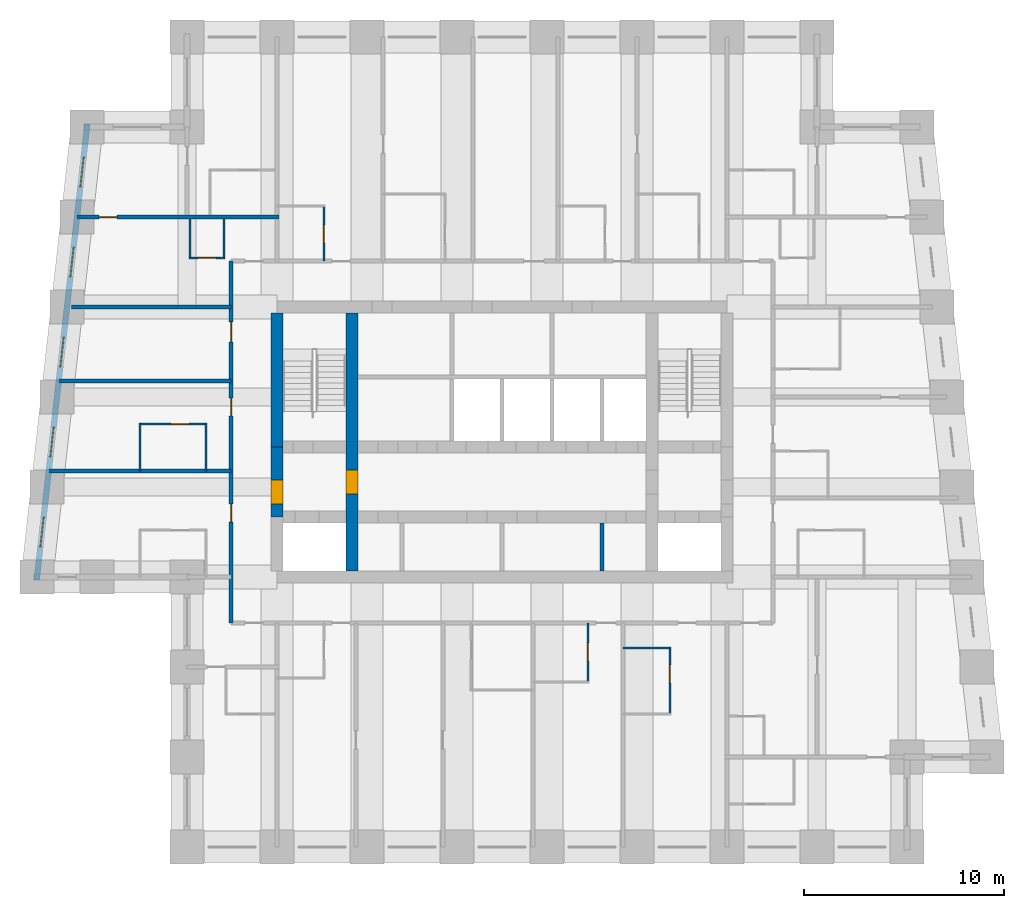
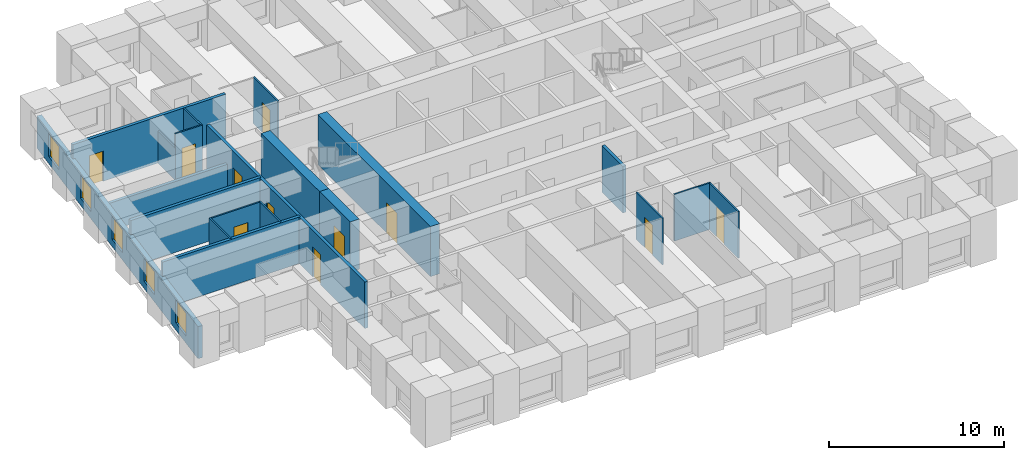
# One storey, part 3 of 8: 20 walls, 11 doors, 5 windows, 16 openings.
"""IFC4 building model written with IfcOpenShell, lengths in metres."""

from ifc_helpers import new_model, si_unit, direction, frame, frame_2d, origin, place, context, subcontext, project, spatial, rectangle, extrude, material, layer, layer_set, type_object, element, fill, save


model = new_model("IFC4")

# Units and contexts
model_context = context("Model", 3, precision=1e-05, world=origin(), true_north=direction((0.0, 1.0)))
body_context = subcontext(model_context, "Body", "Model", "MODEL_VIEW")
ifc_project = project(units=[si_unit("LENGTHUNIT", "METRE"), si_unit("AREAUNIT", "SQUARE_METRE"), si_unit("VOLUMEUNIT", "CUBIC_METRE"), si_unit("PLANEANGLEUNIT", "RADIAN"), si_unit("MASSUNIT", "GRAM", prefix="KILO")], contexts=[model_context])

# Site, building, storey
site_placement = place(None, origin())
site = spatial("IfcSite", under=ifc_project, at=site_placement, CompositionType="ELEMENT")
building_placement = place(site_placement, origin())
building = spatial("IfcBuilding", under=site, at=building_placement, Name="Kilele Tower Hotel", CompositionType="ELEMENT")
storey_placement = place(building_placement, frame((0.0, 0.0, 197.39990234375)))
storey = spatial("IfcBuildingStorey", under=building, at=storey_placement, Name="L51", CompositionType="ELEMENT", Elevation=197.39990234375)

# Wall, opening, door
ifc_material_1 = material(Name="Moisture-resistant board")
ifc_layer_1 = layer(ifc_material_1, 0.10009765625)
ifc_layer_set_1 = layer_set([ifc_layer_1], Name="Moisture-resistant board")
wall_type_1 = type_object("IfcWallType", Name="Bathroom partition 100", PredefinedType="PLUMBINGWALL", material=ifc_layer_set_1)
wall_1_placement = place(storey_placement, frame((29.050048828125, 11.199951171875, 0.0), z_axis=(0.0, 0.0, 1.0), x_axis=(0.0, -1.0, 0.0)))
wall_1 = element("IfcWall", 1, at=wall_1_placement, inside=storey, type_object=wall_type_1, Name="Bathroom partition 100 L51", PredefinedType="PLUMBINGWALL", context=body_context, shape_type="SweptSolid", body=[
    extrude(rectangle(XDim=3.0, YDim=0.10009765625, at=frame_2d((1.5, 0.0))), origin(), (0.0, 0.0, 1.0), 3.25),
])
opening_1_placement = place(wall_1_placement, frame((1.0, 0.0, 0.0)))
opening_1 = element("IfcOpeningElement", 2, at=opening_1_placement, cuts=wall_1, Name="Opening D2A", PredefinedType="OPENING", context=body_context, shape_type="SweptSolid", body=[
    extrude(rectangle(XDim=0.89990234375, YDim=2.10009765625, at=frame_2d((0.449951171875, 1.050048828125))), frame((0.0, 0.06005859375, 0.0), z_axis=(0.0, -1.0, 0.0), x_axis=(1.0, 0.0, 0.0)), (0.0, 0.0, 1.0), 0.1201171875),
])
ifc_material_2 = material(Name="Timber door leaf in hardwood frame", Category="wood")
door_type_1 = type_object("IfcDoorType", Name="Bathroom door 900", OperationType="SINGLE_SWING_LEFT", PredefinedType="DOOR", material=ifc_material_2)
door_1_placement = place(opening_1_placement, origin())
door_1 = element("IfcDoor", 3, at=door_1_placement, inside=storey, type_object=door_type_1, Name="Bathroom door 5104B", OperationType="SINGLE_SWING_LEFT", OverallHeight=2.10009765625, OverallWidth=0.89990234375, PredefinedType="DOOR", context=body_context, shape_type="SweptSolid", body=[
    extrude(rectangle(XDim=0.89990234375, YDim=2.10009765625, at=frame_2d((0.449951171875, 1.050048828125))), frame((0.0, 0.02490234375, 0.0), z_axis=(0.0, -1.0, 0.0), x_axis=(1.0, 0.0, 0.0)), (0.0, 0.0, 1.0), 0.050048828125),
])
fill(opening_1, door_1)

# Wall
wall_2_placement = place(storey_placement, frame((30.800048828125, 9.949951171875, 0.0), z_axis=(0.0, 0.0, 1.0), x_axis=(1.0, 0.0, 0.0)))
element("IfcWall", 4, at=wall_2_placement, inside=storey, type_object=wall_type_1, Name="Bathroom partition 100 L51", PredefinedType="PLUMBINGWALL", context=body_context, shape_type="SweptSolid", body=[
    extrude(rectangle(XDim=2.39990234375, YDim=0.10009765625, at=frame_2d((1.199951171875, 0.0))), origin(), (0.0, 0.0, 1.0), 3.25),
])

# Wall, opening, door
wall_3_placement = place(storey_placement, frame((33.14990234375, 10.0, 0.0), z_axis=(0.0, 0.0, 1.0), x_axis=(0.0, -1.0, 0.0)))
wall_3 = element("IfcWall", 5, at=wall_3_placement, inside=storey, type_object=wall_type_1, Name="Bathroom partition 100 L51", PredefinedType="PLUMBINGWALL", context=body_context, shape_type="SweptSolid", body=[
    extrude(rectangle(XDim=3.39990234375, YDim=0.10009765625, at=frame_2d((1.699951171875, 0.0))), origin(), (0.0, 0.0, 1.0), 3.25),
])
opening_2_placement = place(wall_3_placement, frame((0.89990234375, 0.0, 0.0)))
opening_2 = element("IfcOpeningElement", 6, at=opening_2_placement, cuts=wall_3, Name="Opening D2A", PredefinedType="OPENING", context=body_context, shape_type="SweptSolid", body=[
    extrude(rectangle(XDim=0.89990234375, YDim=2.10009765625, at=frame_2d((0.449951171875, 1.050048828125))), frame((0.0, 0.06005859375, 0.0), z_axis=(0.0, -1.0, 0.0), x_axis=(1.0, 0.0, 0.0)), (0.0, 0.0, 1.0), 0.1201171875),
])
door_2_placement = place(opening_2_placement, origin())
door_2 = element("IfcDoor", 7, at=door_2_placement, inside=storey, type_object=door_type_1, Name="Bathroom door 5105B", OperationType="SINGLE_SWING_LEFT", OverallHeight=2.10009765625, OverallWidth=0.89990234375, PredefinedType="DOOR", context=body_context, shape_type="SweptSolid", body=[
    extrude(rectangle(XDim=0.89990234375, YDim=2.10009765625, at=frame_2d((0.449951171875, 1.050048828125))), frame((0.0, 0.02490234375, 0.0), z_axis=(0.0, -1.0, 0.0), x_axis=(1.0, 0.0, 0.0)), (0.0, 0.0, 1.0), 0.050048828125),
])
fill(opening_2, door_2)

wall_4_placement = place(storey_placement, frame((15.85009765625, 29.300048828125, 0.0), z_axis=(0.0, 0.0, 1.0), x_axis=(0.0, 1.0, 0.0)))
wall_4 = element("IfcWall", 8, at=wall_4_placement, inside=storey, type_object=wall_type_1, Name="Bathroom partition 100 L51", PredefinedType="PLUMBINGWALL", context=body_context, shape_type="SweptSolid", body=[
    extrude(rectangle(XDim=2.800048828125, YDim=0.10009765625, at=frame_2d((1.39990234375, 0.0))), origin(), (0.0, 0.0, 1.0), 3.25),
])
opening_3_placement = place(wall_4_placement, frame((1.7998046875, 0.0, 0.0), z_axis=(0.0, 0.0, 1.0), x_axis=(-1.0, 0.0, 0.0)))
opening_3 = element("IfcOpeningElement", 9, at=opening_3_placement, cuts=wall_4, Name="Opening D2A", PredefinedType="OPENING", context=body_context, shape_type="SweptSolid", body=[
    extrude(rectangle(XDim=0.89990234375, YDim=2.10009765625, at=frame_2d((0.449951171875, 1.050048828125))), frame((0.0, 0.06005859375, 0.0), z_axis=(0.0, -1.0, 0.0), x_axis=(1.0, 0.0, 0.0)), (0.0, 0.0, 1.0), 0.1201171875),
])
door_3_placement = place(opening_3_placement, origin())
door_3 = element("IfcDoor", 10, at=door_3_placement, inside=storey, type_object=door_type_1, Name="Bathroom door 5109B", OperationType="SINGLE_SWING_RIGHT", OverallHeight=2.10009765625, OverallWidth=0.89990234375, PredefinedType="DOOR", context=body_context, shape_type="SweptSolid", body=[
    extrude(rectangle(XDim=0.89990234375, YDim=2.10009765625, at=frame_2d((0.449951171875, 1.050048828125))), frame((0.0, 0.02490234375, 0.0), z_axis=(0.0, -1.0, 0.0), x_axis=(1.0, 0.0, 0.0)), (0.0, 0.0, 1.0), 0.050048828125),
])
fill(opening_3, door_3)

# Walls
for number, where, z_axis, x_axis, name in (
    (11, (9.949951171875, 18.800048828125, 0.0), (0.0, 0.0, 1.0), (0.0, 1.0, 0.0), "Bathroom partition 100 L51"),
    (12, (6.64990234375, 18.800048828125, 0.0), (0.0, 0.0, 1.0), (0.0, 1.0, 0.0), "Bathroom partition 100 L51"),
):
    element("IfcWall", number, at=place(storey_placement, frame(where, z_axis=z_axis, x_axis=x_axis)), inside=storey, type_object=wall_type_1, Name=name, PredefinedType="PLUMBINGWALL", context=body_context, shape_type="SweptSolid", body=[
        extrude(rectangle(XDim=2.39990234375, YDim=0.10009765625, at=frame_2d((1.199951171875, 0.0))), origin(), (0.0, 0.0, 1.0), 3.25),
    ])

# Wall, opening, door
wall_5_placement = place(storey_placement, frame((10.0, 21.14990234375, 0.0), z_axis=(0.0, 0.0, 1.0), x_axis=(-1.0, 0.0, 0.0)))
wall_5 = element("IfcWall", 13, at=wall_5_placement, inside=storey, type_object=wall_type_1, Name="Bathroom partition 100 L51", PredefinedType="PLUMBINGWALL", context=body_context, shape_type="SweptSolid", body=[
    extrude(rectangle(XDim=3.39990234375, YDim=0.10009765625, at=frame_2d((1.699951171875, 0.0))), origin(), (0.0, 0.0, 1.0), 3.25),
])
opening_4_placement = place(wall_5_placement, frame((1.7998046875, 0.0, 0.0), z_axis=(0.0, 0.0, 1.0), x_axis=(-1.0, 0.0, 0.0)))
opening_4 = element("IfcOpeningElement", 14, at=opening_4_placement, cuts=wall_5, Name="Opening D2A", PredefinedType="OPENING", context=body_context, shape_type="SweptSolid", body=[
    extrude(rectangle(XDim=0.89990234375, YDim=2.10009765625, at=frame_2d((0.449951171875, 1.050048828125))), frame((0.0, 0.06005859375, 0.0), z_axis=(0.0, -1.0, 0.0), x_axis=(1.0, 0.0, 0.0)), (0.0, 0.0, 1.0), 0.1201171875),
])
door_4_placement = place(opening_4_placement, origin())
door_4 = element("IfcDoor", 15, at=door_4_placement, inside=storey, type_object=door_type_1, Name="Bathroom door 5115B", OperationType="SINGLE_SWING_RIGHT", OverallHeight=2.10009765625, OverallWidth=0.89990234375, PredefinedType="DOOR", context=body_context, shape_type="SweptSolid", body=[
    extrude(rectangle(XDim=0.89990234375, YDim=2.10009765625, at=frame_2d((0.449951171875, 1.050048828125))), frame((0.0, 0.02490234375, 0.0), z_axis=(0.0, -1.0, 0.0), x_axis=(1.0, 0.0, 0.0)), (0.0, 0.0, 1.0), 0.050048828125),
])
fill(opening_4, door_4)

# Walls
wall_6_placement = place(storey_placement, frame((9.14990234375, 31.39990234375, 0.0), z_axis=(0.0, 0.0, 1.0), x_axis=(0.0, -1.0, 0.0)))
element("IfcWall", 16, at=wall_6_placement, inside=storey, type_object=wall_type_1, Name="Bathroom partition 100 L51", PredefinedType="PLUMBINGWALL", context=body_context, shape_type="SweptSolid", body=[
    extrude(rectangle(XDim=2.0, YDim=0.10009765625, at=frame_2d((1.0, 0.0))), origin(), (0.0, 0.0, 1.0), 2.25),
])
wall_7_placement = place(storey_placement, frame((10.85009765625, 31.39990234375, 0.0), z_axis=(0.0, 0.0, 1.0), x_axis=(0.0, -1.0, 0.0)))
element("IfcWall", 17, at=wall_7_placement, inside=storey, type_object=wall_type_1, Name="Bathroom partition 100 L51", PredefinedType="PLUMBINGWALL", context=body_context, shape_type="SweptSolid", body=[
    extrude(rectangle(XDim=2.0, YDim=0.10009765625, at=frame_2d((1.0, 0.0))), origin(), (0.0, 0.0, 1.0), 3.25),
])

# Wall, opening, door
wall_8_placement = place(storey_placement, frame((10.89990234375, 29.449951171875, 0.0), z_axis=(0.0, 0.0, 1.0), x_axis=(-1.0, 0.0, 0.0)))
wall_8 = element("IfcWall", 18, at=wall_8_placement, inside=storey, type_object=wall_type_1, Name="Bathroom partition 100 L51", PredefinedType="PLUMBINGWALL", context=body_context, shape_type="SweptSolid", body=[
    extrude(rectangle(XDim=1.7998046875, YDim=0.10009765625, at=frame_2d((0.89990234375, 0.0))), origin(), (0.0, 0.0, 1.0), 3.25),
])
opening_5_placement = place(wall_8_placement, frame((0.449951171875, 0.0, 0.0)))
opening_5 = element("IfcOpeningElement", 19, at=opening_5_placement, cuts=wall_8, Name="Opening D2A", PredefinedType="OPENING", context=body_context, shape_type="SweptSolid", body=[
    extrude(rectangle(XDim=0.89990234375, YDim=2.10009765625, at=frame_2d((0.449951171875, 1.050048828125))), frame((0.0, 0.06005859375, 0.0), z_axis=(0.0, -1.0, 0.0), x_axis=(1.0, 0.0, 0.0)), (0.0, 0.0, 1.0), 0.1201171875),
])
door_5_placement = place(opening_5_placement, origin())
door_5 = element("IfcDoor", 20, at=door_5_placement, inside=storey, type_object=door_type_1, Name="Bathroom door 5125P", OperationType="SINGLE_SWING_LEFT", OverallHeight=2.10009765625, OverallWidth=0.89990234375, PredefinedType="DOOR", context=body_context, shape_type="SweptSolid", body=[
    extrude(rectangle(XDim=0.89990234375, YDim=2.10009765625, at=frame_2d((0.449951171875, 1.050048828125))), frame((0.0, 0.02490234375, 0.0), z_axis=(0.0, -1.0, 0.0), x_axis=(1.0, 0.0, 0.0)), (0.0, 0.0, 1.0), 0.050048828125),
])
fill(opening_5, door_5)

ifc_material_3 = material(Name="Concrete C70/85", Category="concrete")
ifc_layer_2 = layer(ifc_material_3, 0.60009765625)
ifc_layer_set_2 = layer_set([ifc_layer_2], Name="Concrete C70/85")
wall_type_2 = type_object("IfcWallType", Name="Core wall 600 C70/85", PredefinedType="SHEAR", material=ifc_layer_set_2)
wall_9_placement = place(storey_placement, frame((17.25, 13.800048828125, 0.0), z_axis=(0.0, 0.0, 1.0), x_axis=(0.0, 1.0, 0.0)))
wall_9 = element("IfcWall", 21, at=wall_9_placement, inside=storey, type_object=wall_type_2, Name="Core wall IW L51", PredefinedType="SHEAR", context=body_context, shape_type="SweptSolid", body=[
    extrude(rectangle(XDim=12.89990234375, YDim=0.60009765625, at=frame_2d((6.449951171875, 0.0))), origin(), (0.0, 0.0, 1.0), 3.5),
])
opening_6_placement = place(wall_9_placement, frame((3.85009765625, 0.0, 0.0)))
opening_6 = element("IfcOpeningElement", 22, at=opening_6_placement, cuts=wall_9, Name="Opening D4", PredefinedType="OPENING", context=body_context, shape_type="SweptSolid", body=[
    extrude(rectangle(XDim=1.199951171875, YDim=2.10009765625, at=frame_2d((0.60009765625, 1.050048828125))), frame((0.0, 0.31005859375, 0.0), z_axis=(0.0, -1.0, 0.0), x_axis=(1.0, 0.0, 0.0)), (0.0, 0.0, 1.0), 0.6201171875),
])
ifc_material_4 = material(Name="Timber door leaf in hardwood frame", Category="wood")
door_type_2 = type_object("IfcDoorType", Name="Firefighting lobby door 1200", OperationType="SINGLE_SWING_LEFT", PredefinedType="DOOR", material=ifc_material_4)
door_6_placement = place(opening_6_placement, origin())
door_6 = element("IfcDoor", 23, at=door_6_placement, inside=storey, type_object=door_type_2, Name="Lobby door L51", OperationType="SINGLE_SWING_LEFT", OverallHeight=2.10009765625, OverallWidth=1.199951171875, PredefinedType="DOOR", context=body_context, shape_type="SweptSolid", body=[
    extrude(rectangle(XDim=1.199951171875, YDim=2.10009765625, at=frame_2d((0.60009765625, 1.050048828125))), frame((0.0, 0.2998046875, 0.0), z_axis=(0.0, -1.0, 0.0), x_axis=(1.0, 0.0, 0.0)), (0.0, 0.0, 1.0), 0.599609375),
])
fill(opening_6, door_6)

# Wall
wall_10_placement = place(storey_placement, frame((13.5, 26.699951171875, 0.0), z_axis=(0.0, 0.0, 1.0), x_axis=(0.0, -1.0, 0.0)))
element("IfcWall", 24, at=wall_10_placement, inside=storey, type_object=wall_type_2, Name="Core wall W1 L51", PredefinedType="SHEAR", context=body_context, shape_type="SweptSolid", body=[
    extrude(rectangle(XDim=6.699951171875, YDim=0.60009765625, at=frame_2d((3.35009765625, 0.0))), origin(), (0.0, 0.0, 1.0), 3.5),
])

# Wall, opening, door
wall_11_placement = place(storey_placement, frame((13.5, 20.0, 0.0), z_axis=(0.0, 0.0, 1.0), x_axis=(0.0, -1.0, 0.0)))
wall_11 = element("IfcWall", 25, at=wall_11_placement, inside=storey, type_object=wall_type_2, Name="Core wall W2 L51", PredefinedType="SHEAR", context=body_context, shape_type="SweptSolid", body=[
    extrude(rectangle(XDim=3.5, YDim=0.60009765625, at=frame_2d((1.75, 0.0))), origin(), (0.0, 0.0, 1.0), 3.5),
])
opening_7_placement = place(wall_11_placement, frame((1.64990234375, 0.0, 0.0)))
opening_7 = element("IfcOpeningElement", 26, at=opening_7_placement, cuts=wall_11, Name="Opening D4", PredefinedType="OPENING", context=body_context, shape_type="SweptSolid", body=[
    extrude(rectangle(XDim=1.199951171875, YDim=2.10009765625, at=frame_2d((0.60009765625, 1.050048828125))), frame((0.0, 0.31005859375, 0.0), z_axis=(0.0, -1.0, 0.0), x_axis=(1.0, 0.0, 0.0)), (0.0, 0.0, 1.0), 0.6201171875),
])
door_7_placement = place(opening_7_placement, origin())
door_7 = element("IfcDoor", 27, at=door_7_placement, inside=storey, type_object=door_type_2, Name="Lobby door L51", OperationType="SINGLE_SWING_RIGHT", OverallHeight=2.10009765625, OverallWidth=1.199951171875, PredefinedType="DOOR", context=body_context, shape_type="SweptSolid", body=[
    extrude(rectangle(XDim=1.199951171875, YDim=2.10009765625, at=frame_2d((0.60009765625, 1.050048828125))), frame((0.0, 0.2998046875, 0.0), z_axis=(0.0, -1.0, 0.0), x_axis=(1.0, 0.0, 0.0)), (0.0, 0.0, 1.0), 0.599609375),
])
fill(opening_7, door_7)

# Wall, openings, doors
ifc_material_5 = material(Name="Blockwork, plastered both sides", Category="masonry")
ifc_layer_3 = layer(ifc_material_5, 0.199951171875)
ifc_layer_set_3 = layer_set([ifc_layer_3], Name="Blockwork, plastered both sides")
wall_type_3 = type_object("IfcWallType", Name="Corridor wall 200", PredefinedType="PARTITIONING", material=ifc_layer_set_3)
wall_12_placement = place(storey_placement, frame((11.199951171875, 11.199951171875, 0.0), z_axis=(0.0, 0.0, 1.0), x_axis=(0.0, 1.0, 0.0)))
wall_12 = element("IfcWall", 28, at=wall_12_placement, inside=storey, type_object=wall_type_3, Name="Corridor wall 200 L51", PredefinedType="PARTITIONING", context=body_context, shape_type="SweptSolid", body=[
    extrude(rectangle(XDim=18.10009765625, YDim=0.199951171875, at=frame_2d((9.050048828125, 0.0))), origin(), (0.0, 0.0, 1.0), 3.25),
])
opening_8_placement = place(wall_12_placement, frame((5.050048828125, 0.0, 0.0)))
opening_8 = element("IfcOpeningElement", 29, at=opening_8_placement, cuts=wall_12, Name="Opening D1", PredefinedType="OPENING", context=body_context, shape_type="SweptSolid", body=[
    extrude(rectangle(XDim=0.89990234375, YDim=2.10009765625, at=frame_2d((0.449951171875, 1.050048828125))), frame((0.0, 0.10986328125, 0.0), z_axis=(0.0, -1.0, 0.0), x_axis=(1.0, 0.0, 0.0)), (0.0, 0.0, 1.0), 0.219970703125),
])
opening_9_placement = place(wall_12_placement, frame((10.35009765625, 0.0, 0.0)))
opening_9 = element("IfcOpeningElement", 30, at=opening_9_placement, cuts=wall_12, Name="Opening D1", PredefinedType="OPENING", context=body_context, shape_type="SweptSolid", body=[
    extrude(rectangle(XDim=0.89990234375, YDim=2.10009765625, at=frame_2d((0.449951171875, 1.050048828125))), frame((0.0, 0.10986328125, 0.0), z_axis=(0.0, -1.0, 0.0), x_axis=(1.0, 0.0, 0.0)), (0.0, 0.0, 1.0), 0.219970703125),
])
opening_10_placement = place(wall_12_placement, frame((14.050048828125, 0.0, 0.0)))
opening_10 = element("IfcOpeningElement", 31, at=opening_10_placement, cuts=wall_12, Name="Opening D8", PredefinedType="OPENING", context=body_context, shape_type="SweptSolid", body=[
    extrude(rectangle(XDim=1.0, YDim=2.10009765625, at=frame_2d((0.5, 1.050048828125))), frame((0.0, 0.10986328125, 0.0), z_axis=(0.0, -1.0, 0.0), x_axis=(1.0, 0.0, 0.0)), (0.0, 0.0, 1.0), 0.219970703125),
])
ifc_material_6 = material(Name="Timber door leaf in hardwood frame", Category="wood")
door_type_3 = type_object("IfcDoorType", Name="Door 1000", OperationType="SINGLE_SWING_LEFT", PredefinedType="DOOR", material=ifc_material_6)
door_8_placement = place(opening_10_placement, origin())
door_8 = element("IfcDoor", 32, at=door_8_placement, inside=storey, type_object=door_type_3, Name="Room entrance 5116", OperationType="SINGLE_SWING_RIGHT", OverallHeight=2.10009765625, OverallWidth=1.0, PredefinedType="DOOR", context=body_context, shape_type="SweptSolid", body=[
    extrude(rectangle(XDim=1.0, YDim=2.10009765625, at=frame_2d((0.5, 1.050048828125))), frame((0.0, 0.02490234375, 0.0), z_axis=(0.0, -1.0, 0.0), x_axis=(1.0, 0.0, 0.0)), (0.0, 0.0, 1.0), 0.050048828125),
])
fill(opening_10, door_8)
ifc_material_7 = material(Name="Timber door leaf in hardwood frame", Category="wood")
door_type_4 = type_object("IfcDoorType", Name="Guest room entrance door 900", OperationType="SINGLE_SWING_LEFT", PredefinedType="DOOR", material=ifc_material_7)
door_9_placement = place(opening_8_placement, origin())
door_9 = element("IfcDoor", 33, at=door_9_placement, inside=storey, type_object=door_type_4, Name="Room entrance 5114", OperationType="SINGLE_SWING_LEFT", OverallHeight=2.10009765625, OverallWidth=0.89990234375, PredefinedType="DOOR", context=body_context, shape_type="SweptSolid", body=[
    extrude(rectangle(XDim=0.89990234375, YDim=2.10009765625, at=frame_2d((0.449951171875, 1.050048828125))), frame((0.0, 0.02490234375, 0.0), z_axis=(0.0, -1.0, 0.0), x_axis=(1.0, 0.0, 0.0)), (0.0, 0.0, 1.0), 0.050048828125),
])
fill(opening_8, door_9)
door_10_placement = place(opening_9_placement, origin())
door_10 = element("IfcDoor", 34, at=door_10_placement, inside=storey, type_object=door_type_4, Name="Room entrance 5115", OperationType="SINGLE_SWING_RIGHT", OverallHeight=2.10009765625, OverallWidth=0.89990234375, PredefinedType="DOOR", context=body_context, shape_type="SweptSolid", body=[
    extrude(rectangle(XDim=0.89990234375, YDim=2.10009765625, at=frame_2d((0.449951171875, 1.050048828125))), frame((0.0, 0.02490234375, 0.0), z_axis=(0.0, -1.0, 0.0), x_axis=(1.0, 0.0, 0.0)), (0.0, 0.0, 1.0), 0.050048828125),
])
fill(opening_9, door_10)

# Walls
ifc_material_8 = material(Name="Blockwork, plastered both sides", Category="masonry")
ifc_layer_4 = layer(ifc_material_8, 0.199951171875)
ifc_layer_set_4 = layer_set([ifc_layer_4], Name="Blockwork, plastered both sides")
wall_type_4 = type_object("IfcWallType", Name="Party wall 200", PredefinedType="PARTITIONING", material=ifc_layer_set_4)
wall_13_placement = place(storey_placement, frame((11.199951171875, 18.800048828125, 0.0), z_axis=(0.0, 0.0, 1.0), x_axis=(-1.0, 0.0, 0.0)))
element("IfcWall", 35, at=wall_13_placement, inside=storey, type_object=wall_type_4, Name="Party wall 200 L51", PredefinedType="PARTITIONING", context=body_context, shape_type="SweptSolid", body=[
    extrude(rectangle(XDim=9.110107421875, YDim=0.199951171875, at=frame_2d((4.55517578125, 0.0))), origin(), (0.0, 0.0, 1.0), 3.25),
])
wall_14_placement = place(storey_placement, frame((11.199951171875, 23.300048828125, 0.0), z_axis=(0.0, 0.0, 1.0), x_axis=(-1.0, 0.0, 0.0)))
element("IfcWall", 36, at=wall_14_placement, inside=storey, type_object=wall_type_4, Name="Party wall 200 L51", PredefinedType="PARTITIONING", context=body_context, shape_type="SweptSolid", body=[
    extrude(rectangle(XDim=8.610107421875, YDim=0.199951171875, at=frame_2d((4.30517578125, 0.0))), origin(), (0.0, 0.0, 1.0), 3.25),
])
wall_15_placement = place(storey_placement, frame((11.199951171875, 27.0, 0.0), z_axis=(0.0, 0.0, 1.0), x_axis=(-1.0, 0.0, 0.0)))
element("IfcWall", 37, at=wall_15_placement, inside=storey, type_object=wall_type_4, Name="Party wall 200 L51", PredefinedType="PARTITIONING", context=body_context, shape_type="SweptSolid", body=[
    extrude(rectangle(XDim=7.976806640625, YDim=0.199951171875, at=frame_2d((3.98828125, 0.0))), origin(), (0.0, 0.0, 1.0), 1.9501953125),
])

# Wall, opening, door
wall_16_placement = place(storey_placement, frame((13.60009765625, 31.5, 0.0), z_axis=(0.0, 0.0, 1.0), x_axis=(-1.0, 0.0, 0.0)))
wall_16 = element("IfcWall", 38, at=wall_16_placement, inside=storey, type_object=wall_type_4, Name="Party wall 200 L51", PredefinedType="PARTITIONING", context=body_context, shape_type="SweptSolid", body=[
    extrude(rectangle(XDim=10.09912109375, YDim=0.199951171875, at=frame_2d((5.049560546875, 0.0))), origin(), (0.0, 0.0, 1.0), 3.25),
])
opening_11_placement = place(wall_16_placement, frame((8.9990234375, 0.0, 0.0), z_axis=(0.0, 0.0, 1.0), x_axis=(-1.0, 0.0, 0.0)))
opening_11 = element("IfcOpeningElement", 39, at=opening_11_placement, cuts=wall_16, Name="Opening D3", PredefinedType="OPENING", context=body_context, shape_type="SweptSolid", body=[
    extrude(rectangle(XDim=0.89990234375, YDim=2.10009765625, at=frame_2d((0.449951171875, 1.050048828125))), frame((0.0, 0.10986328125, 0.0), z_axis=(0.0, -1.0, 0.0), x_axis=(1.0, 0.0, 0.0)), (0.0, 0.0, 1.0), 0.219970703125),
])
ifc_material_9 = material(Name="Timber door leaf in hardwood frame", Category="wood")
door_type_5 = type_object("IfcDoorType", Name="Suite internal door 900", OperationType="SINGLE_SWING_LEFT", PredefinedType="DOOR", material=ifc_material_9)
door_11_placement = place(opening_11_placement, origin())
door_11 = element("IfcDoor", 40, at=door_11_placement, inside=storey, type_object=door_type_5, Name="Suite door 5126", OperationType="SINGLE_SWING_LEFT", OverallHeight=2.10009765625, OverallWidth=0.89990234375, PredefinedType="DOOR", context=body_context, shape_type="SweptSolid", body=[
    extrude(rectangle(XDim=0.89990234375, YDim=2.10009765625, at=frame_2d((0.449951171875, 1.050048828125))), frame((0.0, 0.02490234375, 0.0), z_axis=(0.0, -1.0, 0.0), x_axis=(1.0, 0.0, 0.0)), (0.0, 0.0, 1.0), 0.050048828125),
])
fill(opening_11, door_11)

# Wall, openings, windows
ifc_material_10 = material(Name="Concrete C40/50 precast", Category="concrete")
ifc_layer_5 = layer(ifc_material_10, 0.260009765625, Name="Precast backing", Category="LoadBearing")
ifc_material_11 = material(Name="Reconstituted stone finish", Category="masonry")
ifc_layer_6 = layer(ifc_material_11, 0.0400390625, Name="Face mix", Category="Finish")
ifc_layer_set_5 = layer_set([ifc_layer_5, ifc_layer_6], Name="Precast concrete C40/50, reconstituted stone finish")
wall_type_5 = type_object("IfcWallType", Name="Precast stone facade wall 300", PredefinedType="STANDARD", material=ifc_layer_set_5)
wall_17_placement = place(storey_placement, frame((4.0166015625, 36.149169921875, 0.0), z_axis=(0.0, 0.0, 1.0), x_axis=(-0.110433862387, -0.993883475081, 0.0)))
wall_17 = element("IfcWall", 41, at=wall_17_placement, inside=storey, type_object=wall_type_5, Name="Facade wall L51 edge 12", PredefinedType="STANDARD", context=body_context, shape_type="SweptSolid", body=[
    extrude(rectangle(XDim=22.938720703125, YDim=0.300048828125, at=frame_2d((11.46923828125, 0.0))), origin(), (0.0, 0.0, 1.0), 2.25),
])
opening_12_placement = place(wall_17_placement, frame((1.6640625, 0.0, 0.5)))
opening_12 = element("IfcOpeningElement", 42, at=opening_12_placement, cuts=wall_17, Name="Opening W3", PredefinedType="OPENING", context=body_context, shape_type="SweptSolid", body=[
    extrude(rectangle(XDim=1.5, YDim=1.60009765625, at=frame_2d((0.75, 0.800048828125))), frame((0.0, 0.159912109375, 0.0), z_axis=(0.0, -1.0, 0.0), x_axis=(1.0, 0.0, 0.0)), (0.0, 0.0, 1.0), 0.320068359375),
])
opening_13_placement = place(wall_17_placement, frame((6.19189453125, 0.0, 0.5)))
opening_13 = element("IfcOpeningElement", 43, at=opening_13_placement, cuts=wall_17, Name="Opening W3", PredefinedType="OPENING", context=body_context, shape_type="SweptSolid", body=[
    extrude(rectangle(XDim=1.5, YDim=1.60009765625, at=frame_2d((0.75, 0.800048828125))), frame((0.0, 0.159912109375, 0.0), z_axis=(0.0, -1.0, 0.0), x_axis=(1.0, 0.0, 0.0)), (0.0, 0.0, 1.0), 0.320068359375),
])
opening_14_placement = place(wall_17_placement, frame((10.718994140625, 0.0, 0.5)))
opening_14 = element("IfcOpeningElement", 44, at=opening_14_placement, cuts=wall_17, Name="Opening W3", PredefinedType="OPENING", context=body_context, shape_type="SweptSolid", body=[
    extrude(rectangle(XDim=1.5, YDim=1.60009765625, at=frame_2d((0.75, 0.800048828125))), frame((0.0, 0.159912109375, 0.0), z_axis=(0.0, -1.0, 0.0), x_axis=(1.0, 0.0, 0.0)), (0.0, 0.0, 1.0), 0.320068359375),
])
opening_15_placement = place(wall_17_placement, frame((15.2470703125, 0.0, 0.5)))
opening_15 = element("IfcOpeningElement", 45, at=opening_15_placement, cuts=wall_17, Name="Opening W3", PredefinedType="OPENING", context=body_context, shape_type="SweptSolid", body=[
    extrude(rectangle(XDim=1.5, YDim=1.60009765625, at=frame_2d((0.75, 0.800048828125))), frame((0.0, 0.159912109375, 0.0), z_axis=(0.0, -1.0, 0.0), x_axis=(1.0, 0.0, 0.0)), (0.0, 0.0, 1.0), 0.320068359375),
])
opening_16_placement = place(wall_17_placement, frame((19.77490234375, 0.0, 0.5)))
opening_16 = element("IfcOpeningElement", 46, at=opening_16_placement, cuts=wall_17, Name="Opening W3", PredefinedType="OPENING", context=body_context, shape_type="SweptSolid", body=[
    extrude(rectangle(XDim=1.5, YDim=1.60009765625, at=frame_2d((0.75, 0.800048828125))), frame((0.0, 0.159912109375, 0.0), z_axis=(0.0, -1.0, 0.0), x_axis=(1.0, 0.0, 0.0)), (0.0, 0.0, 1.0), 0.320068359375),
])
ifc_material_12 = material(Name="Aluminium frame, clear double glazing", Category="aluminium")
window_type = type_object("IfcWindowType", Name="Window W3 1500 x 1600", PartitioningType="SINGLE_PANEL", PredefinedType="WINDOW", material=ifc_material_12)
window_1_placement = place(opening_12_placement, origin())
window_1 = element("IfcWindow", 47, at=window_1_placement, inside=storey, type_object=window_type, Name="Window L51", OverallHeight=1.60009765625, OverallWidth=1.5, PartitioningType="SINGLE_PANEL", PredefinedType="WINDOW", context=body_context, shape_type="SweptSolid", body=[
    extrude(rectangle(XDim=1.5, YDim=1.60009765625, at=frame_2d((0.75, 0.800048828125))), frame((0.0, 0.030029296875, 0.0), z_axis=(0.0, -1.0, 0.0), x_axis=(1.0, 0.0, 0.0)), (0.0, 0.0, 1.0), 0.06005859375),
])
fill(opening_12, window_1)
window_2_placement = place(opening_13_placement, origin())
window_2 = element("IfcWindow", 48, at=window_2_placement, inside=storey, type_object=window_type, Name="Window L51", OverallHeight=1.60009765625, OverallWidth=1.5, PartitioningType="SINGLE_PANEL", PredefinedType="WINDOW", context=body_context, shape_type="SweptSolid", body=[
    extrude(rectangle(XDim=1.5, YDim=1.60009765625, at=frame_2d((0.75, 0.800048828125))), frame((0.0, 0.030029296875, 0.0), z_axis=(0.0, -1.0, 0.0), x_axis=(1.0, 0.0, 0.0)), (0.0, 0.0, 1.0), 0.06005859375),
])
fill(opening_13, window_2)
window_3_placement = place(opening_14_placement, origin())
window_3 = element("IfcWindow", 49, at=window_3_placement, inside=storey, type_object=window_type, Name="Window L51", OverallHeight=1.60009765625, OverallWidth=1.5, PartitioningType="SINGLE_PANEL", PredefinedType="WINDOW", context=body_context, shape_type="SweptSolid", body=[
    extrude(rectangle(XDim=1.5, YDim=1.60009765625, at=frame_2d((0.75, 0.800048828125))), frame((0.0, 0.030029296875, 0.0), z_axis=(0.0, -1.0, 0.0), x_axis=(1.0, 0.0, 0.0)), (0.0, 0.0, 1.0), 0.06005859375),
])
fill(opening_14, window_3)
window_4_placement = place(opening_15_placement, origin())
window_4 = element("IfcWindow", 50, at=window_4_placement, inside=storey, type_object=window_type, Name="Window L51", OverallHeight=1.60009765625, OverallWidth=1.5, PartitioningType="SINGLE_PANEL", PredefinedType="WINDOW", context=body_context, shape_type="SweptSolid", body=[
    extrude(rectangle(XDim=1.5, YDim=1.60009765625, at=frame_2d((0.75, 0.800048828125))), frame((0.0, 0.030029296875, 0.0), z_axis=(0.0, -1.0, 0.0), x_axis=(1.0, 0.0, 0.0)), (0.0, 0.0, 1.0), 0.06005859375),
])
fill(opening_15, window_4)
window_5_placement = place(opening_16_placement, origin())
window_5 = element("IfcWindow", 51, at=window_5_placement, inside=storey, type_object=window_type, Name="Window L51", OverallHeight=1.60009765625, OverallWidth=1.5, PartitioningType="SINGLE_PANEL", PredefinedType="WINDOW", context=body_context, shape_type="SweptSolid", body=[
    extrude(rectangle(XDim=1.5, YDim=1.60009765625, at=frame_2d((0.75, 0.800048828125))), frame((0.0, 0.030029296875, 0.0), z_axis=(0.0, -1.0, 0.0), x_axis=(1.0, 0.0, 0.0)), (0.0, 0.0, 1.0), 0.06005859375),
])
fill(opening_16, window_5)

# Wall
ifc_material_13 = material(Name="Blockwork, fire-rated", Category="masonry")
ifc_layer_7 = layer(ifc_material_13, 0.199951171875)
ifc_layer_set_6 = layer_set([ifc_layer_7], Name="Blockwork, fire-rated")
wall_type_6 = type_object("IfcWallType", Name="Shaft wall 200", PredefinedType="PARTITIONING", material=ifc_layer_set_6)
wall_18_placement = place(storey_placement, frame((29.75, 13.800048828125, 0.0), z_axis=(0.0, 0.0, 1.0), x_axis=(0.0, 1.0, 0.0)))
element("IfcWall", 52, at=wall_18_placement, inside=storey, type_object=wall_type_6, Name="Shaft wall 200 L51", PredefinedType="PARTITIONING", context=body_context, shape_type="SweptSolid", body=[
    extrude(rectangle(XDim=2.39990234375, YDim=0.199951171875, at=frame_2d((1.199951171875, 0.0))), origin(), (0.0, 0.0, 1.0), 3.25),
])

save(model, "model.ifc")
